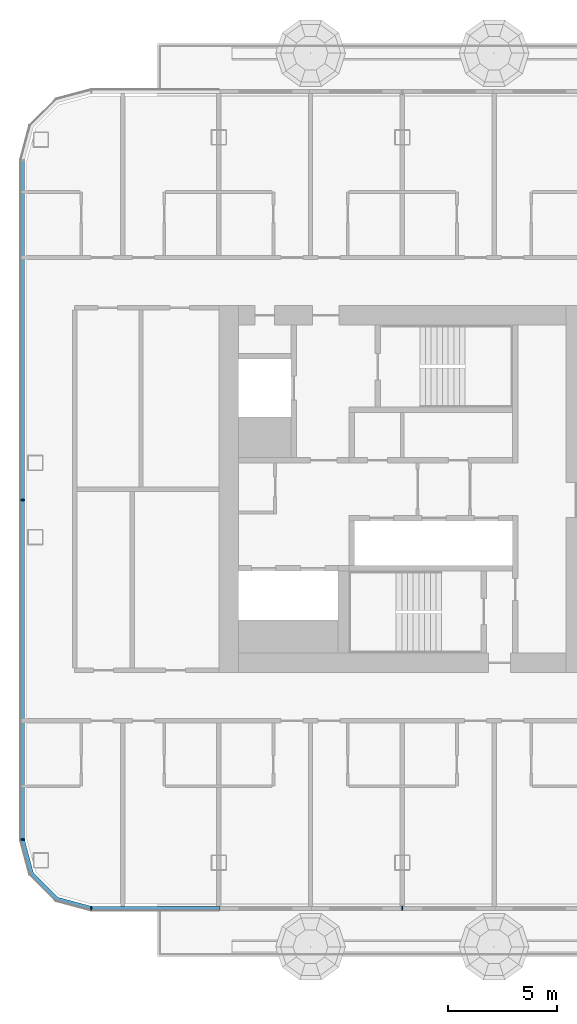
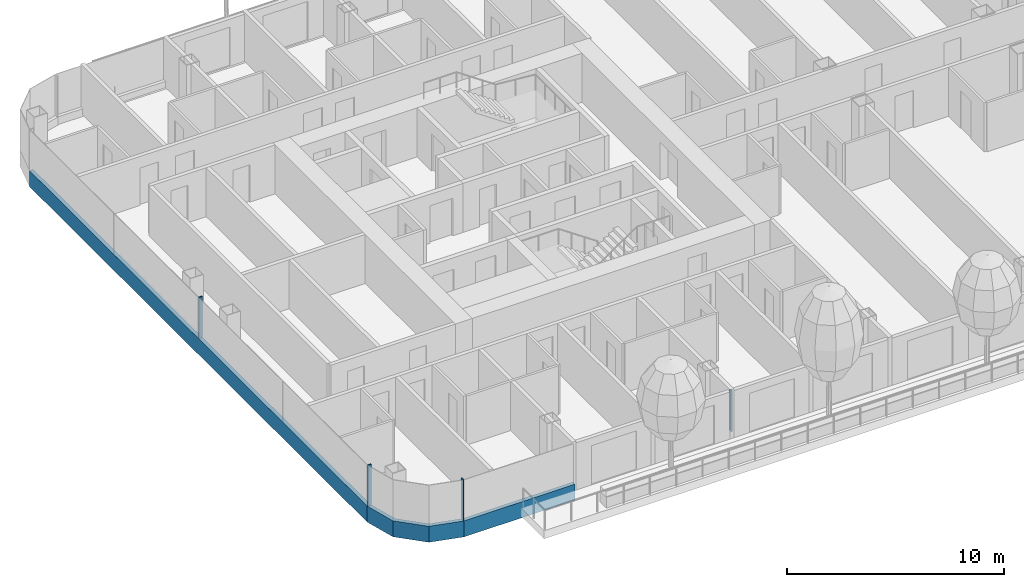
# One storey, part 2 of 32: 7 members, 3 elements without a shape of their own.
"""IFC4 building model written with IfcOpenShell, lengths in metres."""

from ifc_helpers import new_model, si_unit, direction, frame, origin, origin_2d, place, context, subcontext, project, spatial, polyline, rectangle, outline, extrude, material, layer, layer_set, material_profile, profile_set, type_object, element, aggregate, save


model = new_model("IFC4")

# Units and contexts
model_context = context("Model", 3, precision=1e-05, world=origin(), true_north=direction((0.0, 1.0)))
body_context = subcontext(model_context, "Body", "Model", "MODEL_VIEW")
ifc_project = project(units=[si_unit("LENGTHUNIT", "METRE"), si_unit("AREAUNIT", "SQUARE_METRE"), si_unit("VOLUMEUNIT", "CUBIC_METRE"), si_unit("PLANEANGLEUNIT", "RADIAN"), si_unit("MASSUNIT", "GRAM", prefix="KILO")], contexts=[model_context])

# Site, building, storey
site_placement = place(None, origin())
site = spatial("IfcSite", under=ifc_project, at=site_placement, CompositionType="ELEMENT")
building_placement = place(site_placement, origin())
building = spatial("IfcBuilding", under=site, at=building_placement, Name="Hakoniwa Tower and Hamabe Station Hall", CompositionType="ELEMENT")
storey_placement = place(building_placement, frame((0.0, 0.0, 150.199951171875)))
storey = spatial("IfcBuildingStorey", under=building, at=storey_placement, Name="L42", CompositionType="ELEMENT", Elevation=150.199951171875)

# Curtain wall, member
ifc_material_1 = material(Name="Dark low-e laminated glass", Category="glass")
ifc_layer = layer(ifc_material_1, 0.199951171875)
ifc_layer_set = layer_set([ifc_layer], Name="CW-1 UNITISED GUEST")
curtain_wall_type = type_object("IfcCurtainWallType", Name="CW-1 UNITISED GUEST", PredefinedType="NOTDEFINED", material=ifc_layer_set)
curtain_wall_1_placement = place(storey_placement, origin())
curtain_wall_1 = element("IfcCurtainWall", 1, at=curtain_wall_1_placement, inside=storey, type_object=curtain_wall_type, Name="CW-1 curtain wall", PredefinedType="NOTDEFINED")
ifc_material_2 = material(Name="Aluminium 6063-T5 black anodised", Category="aluminium")
ifc_material_profile_1 = material_profile(ifc_material_2, rectangle(XDim=0.199951171875, YDim=0.89990234375, at=origin_2d()), Name="CW SLAB-EDGE BAND 900X200")
ifc_profile_set_1 = profile_set([ifc_material_profile_1], Name="Aluminium 6063-T5 black anodised")
member_type_1 = type_object("IfcMemberType", Name="CW SLAB-EDGE BAND 900X200", PredefinedType="USERDEFINED", material=ifc_profile_set_1)
member_1_placement = place(storey_placement, frame((-42.60009765625, 15.03955078125, -0.099853515625), z_axis=(0.0, -1.0, 0.0), x_axis=(1.0, 0.0, 0.0)))
member_1 = element("IfcMember", 2, at=member_1_placement, type_object=member_type_1, Name="CW-1 transom", ObjectType="TRANSOM", PredefinedType="USERDEFINED", context=body_context, shape_type="SweptSolid", body=[
    extrude(rectangle(XDim=0.199951171875, YDim=0.89990234375, at=origin_2d()), origin(), (0.0, 0.0, 1.0), 31.0791015625),
])

curtain_wall_2_placement = place(storey_placement, origin())
curtain_wall_2 = element("IfcCurtainWall", 3, at=curtain_wall_2_placement, inside=storey, type_object=curtain_wall_type, Name="CW-1 curtain wall", PredefinedType="NOTDEFINED")
member_2_placement = place(storey_placement, frame((0.0, 0.0, -0.550048828125)))
member_2 = element("IfcMember", 4, at=member_2_placement, type_object=member_type_1, Name="CW-1 transom", ObjectType="TRANSOM", PredefinedType="USERDEFINED", context=body_context, shape_type="SweptSolid", body=[
    extrude(outline(polyline([(-42.699951171875, -16.03955078125), (-42.26708984375, -17.6552734375), (-41.05517578125, -18.866943359375), (-39.439453125, -19.300048828125), (-39.3876953125, -19.10693359375), (-40.95166015625, -18.687744140625), (-42.087646484375, -17.5517578125), (-42.5068359375, -15.98779296875), (-42.699951171875, -16.03955078125)])), origin(), (0.0, 0.0, 1.0), 0.900146484375),
])
aggregate(curtain_wall_2, [member_2])

curtain_wall_3_placement = place(storey_placement, origin())
curtain_wall_3 = element("IfcCurtainWall", 5, at=curtain_wall_3_placement, inside=storey, type_object=curtain_wall_type, Name="CW-1 curtain wall", PredefinedType="NOTDEFINED")
member_3_placement = place(storey_placement, frame((-39.439453125, -19.199951171875, -0.099853515625), z_axis=(1.0, 0.0, 0.0), x_axis=(0.0, 1.0, 0.0)))
member_3 = element("IfcMember", 6, at=member_3_placement, type_object=member_type_1, Name="CW-1 transom", ObjectType="TRANSOM", PredefinedType="USERDEFINED", context=body_context, shape_type="SweptSolid", body=[
    extrude(rectangle(XDim=0.199951171875, YDim=0.89990234375, at=origin_2d()), origin(), (0.0, 0.0, 1.0), 5.8994140625),
])

# Member
ifc_material_3 = material(Name="Aluminium 6063-T5 black anodised", Category="aluminium")
ifc_material_profile_2 = material_profile(ifc_material_3, rectangle(XDim=0.06005859375, YDim=0.179931640625, at=origin_2d()), Name="CW-1 MULLION 60X180")
ifc_profile_set_2 = profile_set([ifc_material_profile_2], Name="Aluminium 6063-T5 black anodised")
member_type_2 = type_object("IfcMemberType", Name="CW-1 MULLION 60X180", PredefinedType="MULLION", material=ifc_profile_set_2)
member_4_placement = place(storey_placement, frame((-42.58203125, -0.5, 0.35009765625), z_axis=(0.0, 0.0, 1.0), x_axis=(0.0, -1.0, 0.0)))
member_4 = element("IfcMember", 7, at=member_4_placement, type_object=member_type_2, Name="CW-1 mullion", PredefinedType="MULLION", context=body_context, shape_type="SweptSolid", body=[
    extrude(rectangle(XDim=0.06005859375, YDim=0.179931640625, at=origin_2d()), origin(), (0.0, 0.0, 1.0), 2.300048828125),
])

member_5_placement = place(storey_placement, frame((-42.58203125, -16.03955078125, 0.35009765625), z_axis=(0.0, 0.0, 1.0), x_axis=(0.0, -1.0, 0.0)))
member_5 = element("IfcMember", 8, at=member_5_placement, type_object=member_type_2, Name="CW-1 mullion", PredefinedType="MULLION", context=body_context, shape_type="SweptSolid", body=[
    extrude(rectangle(XDim=0.06005859375, YDim=0.179931640625, at=origin_2d()), origin(), (0.0, 0.0, 1.0), 2.300048828125),
])

aggregate(curtain_wall_1, [member_4, member_5, member_1])

member_6_placement = place(storey_placement, frame((-39.439453125, -19.181884765625, 0.35009765625), z_axis=(0.0, 0.0, 1.0), x_axis=(1.0, 0.0, 0.0)))
member_6 = element("IfcMember", 9, at=member_6_placement, type_object=member_type_2, Name="CW-1 mullion", PredefinedType="MULLION", context=body_context, shape_type="SweptSolid", body=[
    extrude(rectangle(XDim=0.06005859375, YDim=0.179931640625, at=origin_2d()), origin(), (0.0, 0.0, 1.0), 2.300048828125),
])

member_7_placement = place(storey_placement, frame((-25.199951171875, -19.181884765625, 0.35009765625), z_axis=(0.0, 0.0, 1.0), x_axis=(1.0, 0.0, 0.0)))
member_7 = element("IfcMember", 10, at=member_7_placement, type_object=member_type_2, Name="CW-1 mullion", PredefinedType="MULLION", context=body_context, shape_type="SweptSolid", body=[
    extrude(rectangle(XDim=0.06005859375, YDim=0.179931640625, at=origin_2d()), origin(), (0.0, 0.0, 1.0), 2.300048828125),
])

aggregate(curtain_wall_3, [member_6, member_7, member_3])

save(model, "model.ifc")
